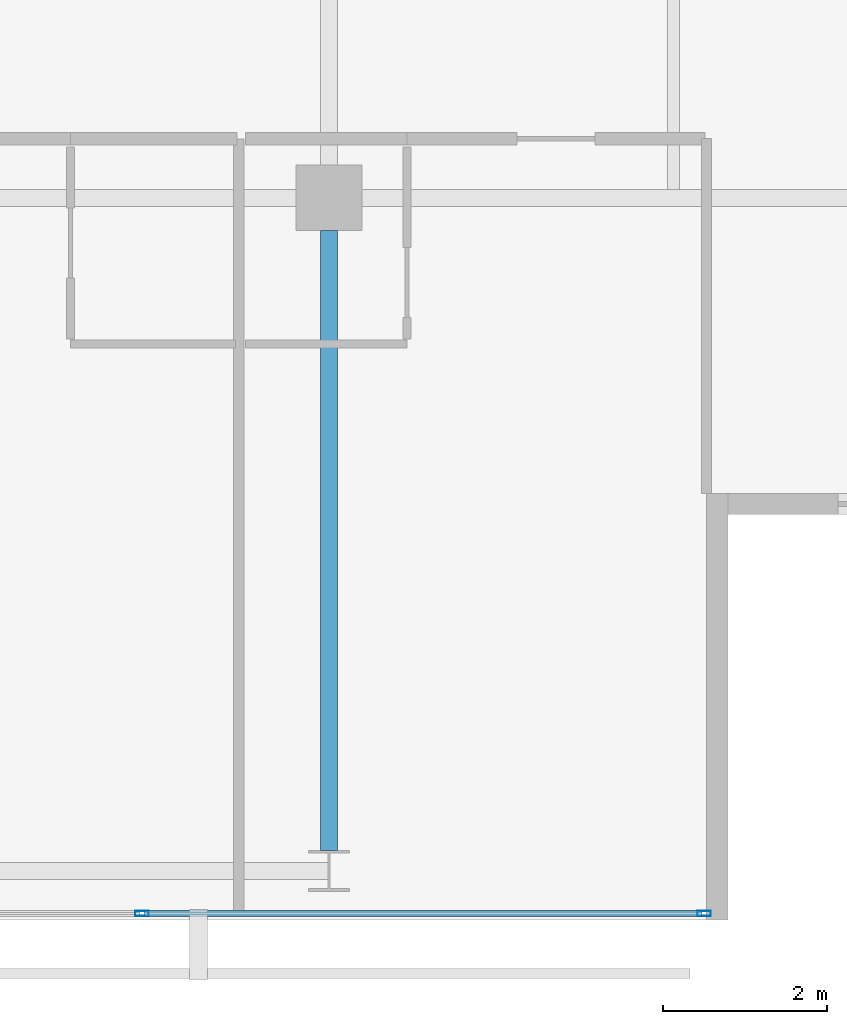
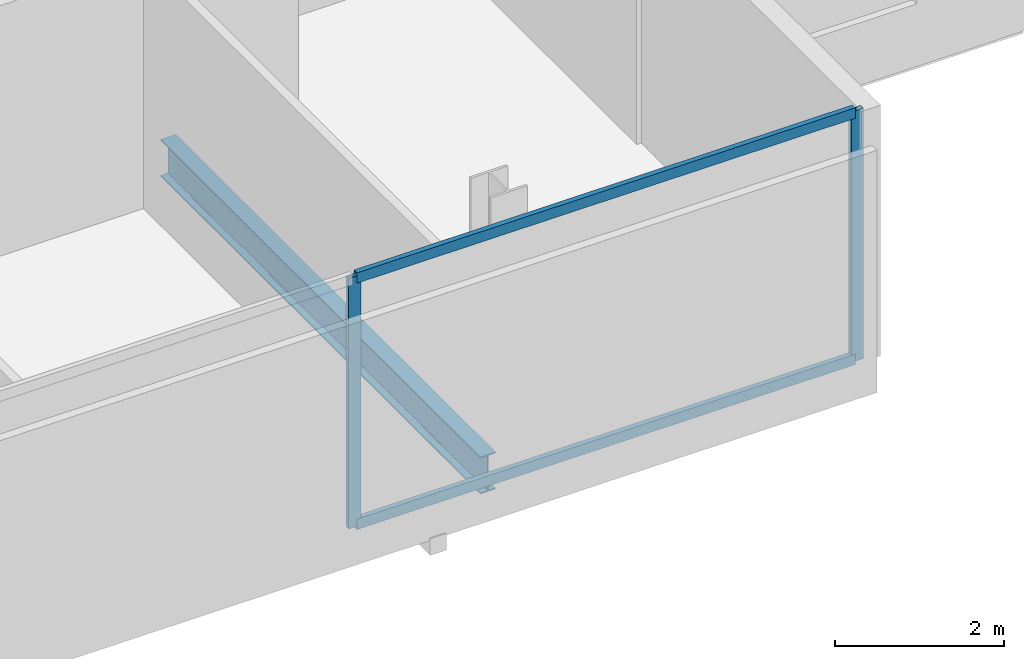
# One storey, part 10 of 25: 4 members, 1 beam, 1 element without a shape of its own.
"""IFC4 building model written with IfcOpenShell, lengths in metres."""

from ifc_helpers import new_model, si_unit, direction, frame, origin, origin_2d, place, context, subcontext, project, spatial, hollow_rectangle, i_section, extrude, material, layer, layer_set, material_profile, profile_set, type_object, element, aggregate, save


model = new_model("IFC4")

# Units and contexts
model_context = context("Model", 3, precision=1e-05, world=origin(), true_north=direction((0.0, 1.0)))
body_context = subcontext(model_context, "Body", "Model", "MODEL_VIEW")
ifc_project = project(units=[si_unit("LENGTHUNIT", "METRE"), si_unit("AREAUNIT", "SQUARE_METRE"), si_unit("VOLUMEUNIT", "CUBIC_METRE"), si_unit("PLANEANGLEUNIT", "RADIAN"), si_unit("MASSUNIT", "GRAM", prefix="KILO")], contexts=[model_context])

# Site, building, storey
site_placement = place(None, origin())
site = spatial("IfcSite", under=ifc_project, at=site_placement, CompositionType="ELEMENT")
building_placement = place(site_placement, origin())
building = spatial("IfcBuilding", under=site, at=building_placement, Name="Maruvema Waterfront Hotel and Observation Tower", CompositionType="ELEMENT")
storey_placement = place(building_placement, frame((0.0, 0.0, 247.10009765625)))
storey = spatial("IfcBuildingStorey", under=building, at=storey_placement, Name="L60", CompositionType="ELEMENT", Elevation=247.10009765625)

# Curtain wall, members
ifc_material_1 = material(Name="Anodised bronze aluminium and solar-control low-E IGU", Category="aluminium")
ifc_layer = layer(ifc_material_1, 0.159912109375, Name="Zone 3 Champagne Inner Thermal Curtain Wall System CW-04")
ifc_layer_set = layer_set([ifc_layer], Name="Anodised bronze aluminium and solar-control low-E IGU")
curtain_wall_type = type_object("IfcCurtainWallType", Name="Zone 3 Champagne Inner Thermal Curtain Wall System CW-04", PredefinedType="USERDEFINED", material=ifc_layer_set)
curtain_wall_placement = place(storey_placement, origin())
curtain_wall = element("IfcCurtainWall", 1, at=curtain_wall_placement, inside=storey, type_object=curtain_wall_type, Name="L60 Curtain Wall CW-L60-S", ObjectType="UNITISED CURTAIN WALL", PredefinedType="USERDEFINED")
ifc_material_2 = material(Name="Anodised architectural bronze aluminium", Category="aluminium")
ifc_material_profile_1 = material_profile(ifc_material_2, hollow_rectangle(XDim=0.070068359375, YDim=0.14990234375, WallThickness=0.00390625, at=origin_2d()), Name="ALU-T70x150")
ifc_profile_set_1 = profile_set([ifc_material_profile_1], Name="Anodised architectural bronze aluminium")
member_type_1 = type_object("IfcMemberType", Name="Curtain Wall Horizontal Transom ALU-T70x150", PredefinedType="USERDEFINED", material=ifc_profile_set_1)
member_1_placement = place(storey_placement, frame((48.14990234375, 9.280029296875, 0.02978515625), z_axis=(1.0, 0.0, 0.0), x_axis=(0.0, 1.0, 0.0)))
member_1 = element("IfcMember", 2, at=member_1_placement, type_object=member_type_1, Name="CW-04 transom 5.1", ObjectType="TRANSOM", PredefinedType="USERDEFINED", context=body_context, shape_type="SweptSolid", body=[
    extrude(hollow_rectangle(XDim=0.070068359375, YDim=0.14990234375, WallThickness=0.00390625, at=origin_2d()), origin(), (0.0, 0.0, 1.0), 6.7900390625),
])
member_2_placement = place(storey_placement, frame((48.14990234375, 9.280029296875, 3.579833984375), z_axis=(1.0, 0.0, 0.0), x_axis=(0.0, 1.0, 0.0)))
member_2 = element("IfcMember", 3, at=member_2_placement, type_object=member_type_1, Name="CW-04 transom 5.2", ObjectType="TRANSOM", PredefinedType="USERDEFINED", context=body_context, shape_type="SweptSolid", body=[
    extrude(hollow_rectangle(XDim=0.070068359375, YDim=0.14990234375, WallThickness=0.00390625, at=origin_2d()), origin(), (0.0, 0.0, 1.0), 6.7900390625),
])
ifc_material_3 = material(Name="Anodised architectural bronze aluminium", Category="aluminium")
ifc_material_profile_2 = material_profile(ifc_material_3, hollow_rectangle(XDim=0.06494140625, YDim=0.1650390625, WallThickness=0.00390625, at=origin_2d()), Name="ALU-M65x165")
ifc_profile_set_2 = profile_set([ifc_material_profile_2], Name="Anodised architectural bronze aluminium")
member_type_2 = type_object("IfcMemberType", Name="Curtain Wall Primary Mullion ALU-M65x165", PredefinedType="MULLION", material=ifc_profile_set_2)
member_3_placement = place(storey_placement, frame((48.1201171875, 9.280029296875, 0.0), z_axis=(0.0, 0.0, 1.0), x_axis=(0.0, 1.0, 0.0)))
member_3 = element("IfcMember", 4, at=member_3_placement, type_object=member_type_2, Name="CW-04 mullion 5", PredefinedType="MULLION", context=body_context, shape_type="SweptSolid", body=[
    extrude(hollow_rectangle(XDim=0.06494140625, YDim=0.1650390625, WallThickness=0.00390625, at=origin_2d()), origin(), (0.0, 0.0, 1.0), 3.60986328125),
])
member_4_placement = place(storey_placement, frame((54.969970703125, 9.280029296875, 0.0), z_axis=(0.0, 0.0, 1.0), x_axis=(0.0, 1.0, 0.0)))
member_4 = element("IfcMember", 5, at=member_4_placement, type_object=member_type_2, Name="CW-04 mullion 6", PredefinedType="MULLION", context=body_context, shape_type="SweptSolid", body=[
    extrude(hollow_rectangle(XDim=0.06494140625, YDim=0.1650390625, WallThickness=0.00390625, at=origin_2d()), origin(), (0.0, 0.0, 1.0), 3.60986328125),
])
aggregate(curtain_wall, [member_3, member_4, member_1, member_2])

# Beam
ifc_material_4 = material(Name="Steel ASTM A572 Grade 50", Category="steel")
ifc_material_profile_3 = material_profile(ifc_material_4, i_section(OverallWidth=0.208984375, OverallDepth=0.532958984375, WebThickness=0.01025390625, FlangeThickness=0.015625, FilletRadius=0.014892578125, at=origin_2d()), Name="W530x92.0")
ifc_profile_set_3 = profile_set([ifc_material_profile_3], Name="Steel ASTM A572 Grade 50")
beam_type = type_object("IfcBeamType", Name="Primary Floor Girder W530x92.0", PredefinedType="BEAM", material=ifc_profile_set_3)
beam_placement = place(storey_placement, frame((50.39990234375, 10.050048828125, -0.506591796875), z_axis=(0.0, 1.0, 0.0), x_axis=(-1.0, 0.0, 0.0)))
element("IfcBeam", 6, at=beam_placement, inside=storey, type_object=beam_type, Name="L60 Floor Girder NS-12", PredefinedType="BEAM", context=body_context, shape_type="SweptSolid", body=[
    extrude(i_section(OverallWidth=0.208984375, OverallDepth=0.532958984375, WebThickness=0.01025390625, FlangeThickness=0.015625, FilletRadius=0.014892578125, at=origin_2d()), origin(), (0.0, 0.0, 1.0), 7.550048828125),
])

save(model, "model.ifc")
